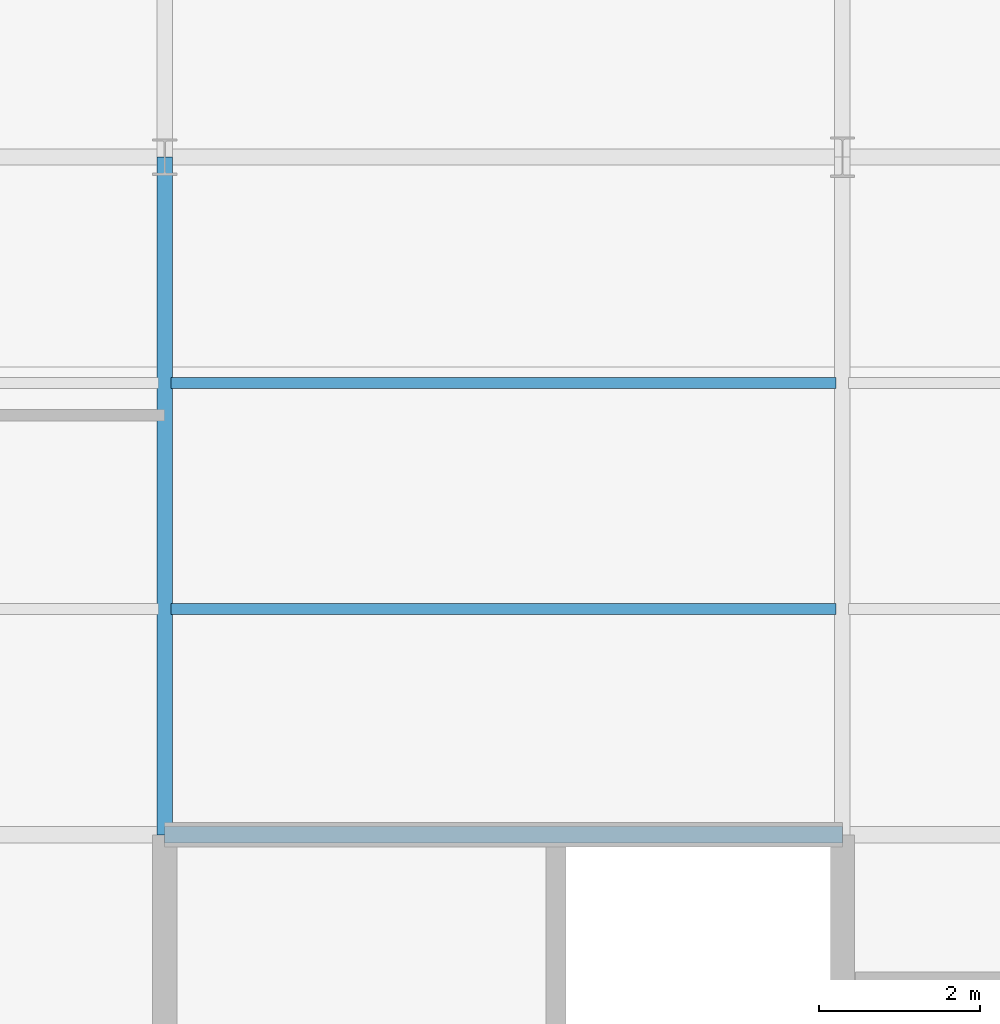
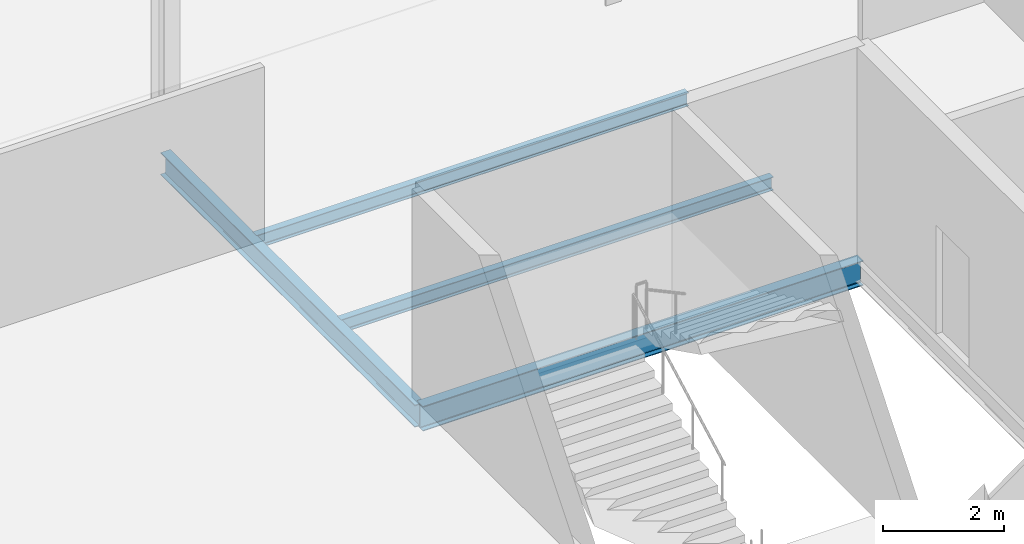
# One storey, part 21 of 69: 4 beams.
"""IFC4 building model written with IfcOpenShell, lengths in metres."""

from ifc_helpers import new_model, si_unit, direction, frame, origin, origin_2d, place, context, subcontext, project, spatial, i_section, extrude, material, material_profile, profile_set, type_object, element, save


model = new_model("IFC4")

# Units and contexts
model_context = context("Model", 3, precision=1e-05, world=origin(), true_north=direction((0.0, 1.0)))
body_context = subcontext(model_context, "Body", "Model", "MODEL_VIEW")
ifc_project = project(units=[si_unit("LENGTHUNIT", "METRE"), si_unit("AREAUNIT", "SQUARE_METRE"), si_unit("VOLUMEUNIT", "CUBIC_METRE"), si_unit("PLANEANGLEUNIT", "RADIAN"), si_unit("MASSUNIT", "GRAM", prefix="KILO")], contexts=[model_context])

# Site, building, storey
site_placement = place(None, origin())
site = spatial("IfcSite", under=ifc_project, at=site_placement, CompositionType="ELEMENT")
building_placement = place(site_placement, origin())
building = spatial("IfcBuilding", under=site, at=building_placement, Name="Qalvenar Corner Mobility Hub", CompositionType="ELEMENT")
storey_placement = place(building_placement, frame((0.0, 0.0, 13.199951171875)))
storey = spatial("IfcBuildingStorey", under=building, at=storey_placement, Name="L03", CompositionType="ELEMENT", Elevation=13.199951171875)

# Beams
ifc_material = material(Name="Steel S355", Category="steel")
ifc_material_profile_1 = material_profile(ifc_material, i_section(OverallWidth=0.18994140625, OverallDepth=0.449951171875, WebThickness=0.009521484375, FlangeThickness=0.0146484375, FilletRadius=0.02099609375, at=origin_2d()), Name="IPE450")
ifc_profile_set_1 = profile_set([ifc_material_profile_1], Name="Steel S355")
beam_type_1 = type_object("IfcBeamType", Name="BM-IPE450", PredefinedType="BEAM", material=ifc_profile_set_1)
beam_1_placement = place(storey_placement, frame((8.39990234375, 16.800048828125, -0.405029296875), z_axis=(0.0, 1.0, 0.0), x_axis=(-1.0, 0.0, 0.0)))
element("IfcBeam", 1, at=beam_1_placement, inside=storey, type_object=beam_type_1, Name="Primary Steel Girder GY-2231", PredefinedType="BEAM", context=body_context, shape_type="SweptSolid", body=[
    extrude(i_section(OverallWidth=0.18994140625, OverallDepth=0.449951171875, WebThickness=0.009521484375, FlangeThickness=0.0146484375, FilletRadius=0.02099609375, at=origin_2d()), origin(), (0.0, 0.0, 1.0), 8.39990234375),
])
ifc_material_profile_2 = material_profile(ifc_material, i_section(OverallWidth=0.199951171875, OverallDepth=0.5, WebThickness=0.01025390625, FlangeThickness=0.01611328125, FilletRadius=0.02099609375, at=origin_2d()), Name="IPE500")
ifc_profile_set_2 = profile_set([ifc_material_profile_2], Name="Steel S355")
beam_type_2 = type_object("IfcBeamType", Name="BM-IPE500", PredefinedType="BEAM", material=ifc_profile_set_2)
beam_2_placement = place(storey_placement, frame((8.39990234375, 16.800048828125, -0.429931640625), z_axis=(1.0, 0.0, 0.0), x_axis=(0.0, 1.0, 0.0)))
element("IfcBeam", 2, at=beam_2_placement, inside=storey, type_object=beam_type_2, Name="Primary Steel Girder GX-2201", PredefinedType="BEAM", context=body_context, shape_type="SweptSolid", body=[
    extrude(i_section(OverallWidth=0.199951171875, OverallDepth=0.5, WebThickness=0.01025390625, FlangeThickness=0.01611328125, FilletRadius=0.02099609375, at=origin_2d()), origin(), (0.0, 0.0, 1.0), 8.400146484375),
])
ifc_material_profile_3 = material_profile(ifc_material, i_section(OverallWidth=0.135009765625, OverallDepth=0.27001953125, WebThickness=0.006591796875, FlangeThickness=0.01025390625, FilletRadius=0.014892578125, at=origin_2d()), Name="IPE270")
ifc_profile_set_3 = profile_set([ifc_material_profile_3], Name="Steel S355")
beam_type_3 = type_object("IfcBeamType", Name="BM-JST270", PredefinedType="JOIST", material=ifc_profile_set_3)
for number, where, z_axis, x_axis, name in (
    (3, (8.47802734375, 19.60009765625, -0.31494140625), (1.0, 0.0, 0.0), (0.0, 1.0, 0.0), "Composite Floor Joist J-2272"),
    (4, (8.47802734375, 22.39990234375, -0.31494140625), (1.0, 0.0, 0.0), (0.0, 1.0, 0.0), "Composite Floor Joist J-2273"),
):
    element("IfcBeam", number, at=place(storey_placement, frame(where, z_axis=z_axis, x_axis=x_axis)), inside=storey, type_object=beam_type_3, Name=name, PredefinedType="JOIST", context=body_context, shape_type="SweptSolid", body=[
        extrude(i_section(OverallWidth=0.135009765625, OverallDepth=0.27001953125, WebThickness=0.006591796875, FlangeThickness=0.01025390625, FilletRadius=0.014892578125, at=origin_2d()), origin(), (0.0, 0.0, 1.0), 8.243896484375),
    ])

save(model, "model.ifc")
